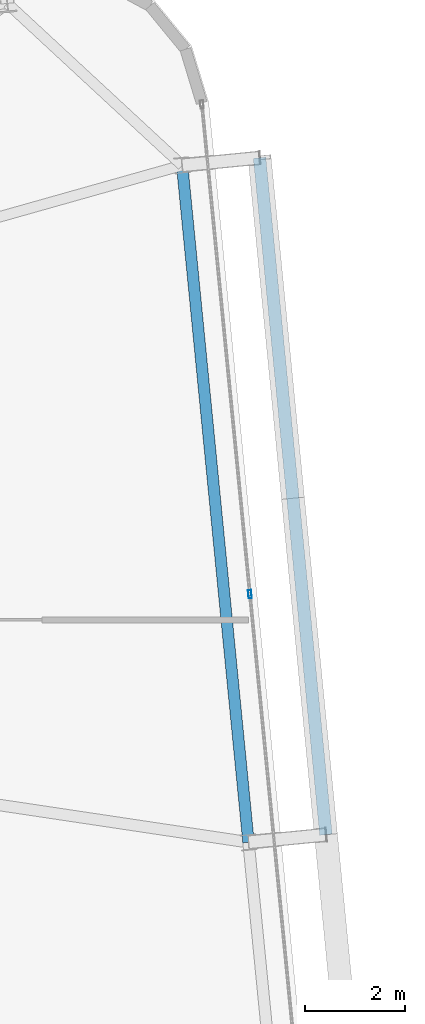
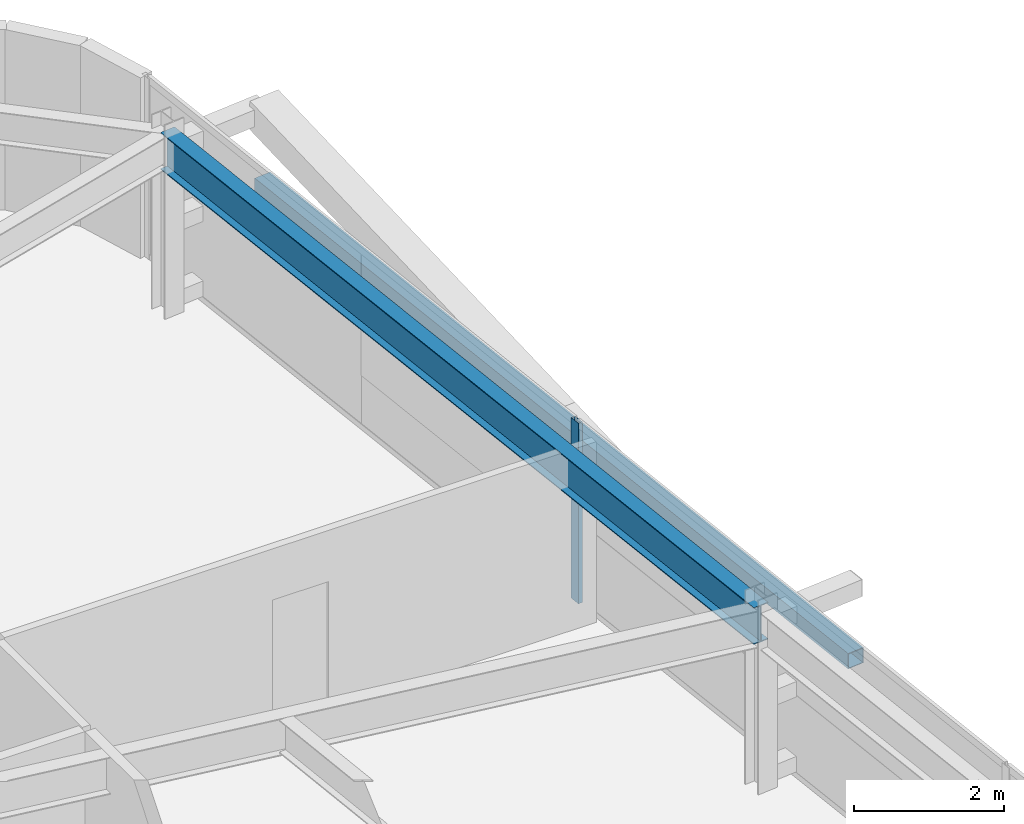
# One storey, part 23 of 47: 2 members, 1 beam, 1 element without a shape of its own.
"""IFC4 building model written with IfcOpenShell, lengths in metres."""

from ifc_helpers import new_model, si_unit, direction, frame, origin, origin_2d, place, context, subcontext, project, spatial, hollow_rectangle, i_section, extrude, source, transform, mapped, material, layer, layer_set, material_profile, profile_set, type_object, element, aggregate, save


model = new_model("IFC4")

# Units and contexts
model_context = context("Model", 3, precision=1e-05, world=origin(), true_north=direction((0.0, 1.0)))
body_context = subcontext(model_context, "Body", "Model", "MODEL_VIEW")
ifc_project = project(units=[si_unit("LENGTHUNIT", "METRE"), si_unit("AREAUNIT", "SQUARE_METRE"), si_unit("VOLUMEUNIT", "CUBIC_METRE"), si_unit("PLANEANGLEUNIT", "RADIAN"), si_unit("MASSUNIT", "GRAM", prefix="KILO")], contexts=[model_context])

# Site, building, storey
site_placement = place(None, origin())
site = spatial("IfcSite", under=ifc_project, at=site_placement, CompositionType="ELEMENT")
building_placement = place(site_placement, origin())
building = spatial("IfcBuilding", under=site, at=building_placement, Name="Taldren Reach Tower", CompositionType="ELEMENT")
storey_placement = place(building_placement, frame((0.0, 0.0, 90.300048828125)))
storey = spatial("IfcBuildingStorey", under=building, at=storey_placement, Name="L27", CompositionType="ELEMENT", Elevation=90.300048828125)

# Beam
ifc_material_1 = material(Name="Steel Gr 350 (350PLUS)", Category="steel")
ifc_material_profile_1 = material_profile(ifc_material_1, i_section(OverallWidth=0.22802734375, OverallDepth=0.60205078125, WebThickness=0.010498046875, FlangeThickness=0.014892578125, at=origin_2d()), Name="610UB101")
ifc_profile_set_1 = profile_set([ifc_material_profile_1], Name="Steel Gr 350 (350PLUS)")
beam_type = type_object("IfcBeamType", Name="BM-UB610B", PredefinedType="BEAM", material=ifc_profile_set_1)
shared_shape_1 = source(origin(), body_context, "Body", "SweptSolid", [
    extrude(i_section(OverallWidth=0.22802734375, OverallDepth=0.60205078125, WebThickness=0.010498046875, FlangeThickness=0.014892578125, at=origin_2d()), origin(), (0.0, 0.0, 1.0), 13.550048828125),
])
beam_placement = place(storey_placement, frame((64.569580078125, 21.968994140625, 2.62890625), z_axis=(-0.097584021339, 0.995227290009, 0.0), x_axis=(-0.995227290009, -0.097584021339, 0.0)))
element("IfcBeam", 1, at=beam_placement, inside=storey, type_object=beam_type, Name="Perimeter gable girder B2 E2-E3 L27", PredefinedType="BEAM", context=body_context, shape_type="MappedRepresentation", body=[
    mapped(shared_shape_1, transform((0.0, 0.0, 0.0), scale=1.0)),
])

# Member
ifc_material_2 = material(Name="Steel Gr 350 (C350L0)", Category="steel")
ifc_material_profile_2 = material_profile(ifc_material_2, hollow_rectangle(XDim=0.25, YDim=0.25, WallThickness=0.010009765625, at=origin_2d()), Name="250x250x10.0SHS")
ifc_profile_set_2 = profile_set([ifc_material_profile_2], Name="Steel Gr 350 (C350L0)")
member_type_1 = type_object("IfcMemberType", Name="MB-POST250", PredefinedType="POST", material=ifc_profile_set_2)
shared_shape_2 = source(origin(), body_context, "Body", "SweptSolid", [
    extrude(hollow_rectangle(XDim=0.25, YDim=0.25, WallThickness=0.010009765625, at=origin_2d()), origin(), (0.0, 0.0, 1.0), 13.550048828125),
])
member_1_placement = place(storey_placement, frame((66.112060546875, 22.1201171875, 1.43505859375), z_axis=(-0.097584021339, 0.995227290009, 0.0), x_axis=(-0.995227290009, -0.097584021339, 0.0)))
element("IfcMember", 2, at=member_1_placement, inside=storey, type_object=member_type_1, Name="Exoskeleton mid-height ring chord B2-E2 L27", PredefinedType="POST", context=body_context, shape_type="MappedRepresentation", body=[
    mapped(shared_shape_2, transform((0.0, 0.0, 0.0), scale=1.0)),
])

# Curtain wall, member
ifc_material_3 = material(Name="Aluminium and Low-E Glass Unitised System", Category="aluminium")
ifc_layer = layer(ifc_material_3, 0.159912109375)
ifc_layer_set = layer_set([ifc_layer], Name="Aluminium and Low-E Glass Unitised System")
curtain_wall_type = type_object("IfcCurtainWallType", Name="CW-SYS-3", PredefinedType="NOTDEFINED", material=ifc_layer_set)
curtain_wall_placement = place(storey_placement, origin())
curtain_wall = element("IfcCurtainWall", 3, at=curtain_wall_placement, inside=storey, type_object=curtain_wall_type, Name="Unitised curtain wall CW-L27-E", PredefinedType="NOTDEFINED")
ifc_material_4 = material(Name="Anodised Aluminium 6063-T6", Category="aluminium")
ifc_material_profile_3 = material_profile(ifc_material_4, hollow_rectangle(XDim=0.06494140625, YDim=0.1650390625, WallThickness=0.00390625, at=origin_2d()), Name="ALU-165x65x4RHS")
ifc_profile_set_3 = profile_set([ifc_material_profile_3], Name="Anodised Aluminium 6063-T6")
member_type_2 = type_object("IfcMemberType", Name="CW-MUL-165", PredefinedType="MULLION", material=ifc_profile_set_3)
shared_shape_3 = source(origin(), body_context, "Body", "SweptSolid", [
    extrude(hollow_rectangle(XDim=0.06494140625, YDim=0.1650390625, WallThickness=0.00390625, at=origin_2d()), origin(), (0.0, 0.0, 1.0), 2.929931640625),
])
member_2_placement = place(storey_placement, frame((64.59716796875, 26.911865234375, 0.0), z_axis=(0.0, 0.0, 1.0), x_axis=(-0.99522741555, -0.09758274098, 0.0)))
member_2 = element("IfcMember", 4, at=member_2_placement, type_object=member_type_2, Name="CW-3 mullion 3", PredefinedType="MULLION", context=body_context, shape_type="MappedRepresentation", body=[
    mapped(shared_shape_3, transform((0.0, 0.0, 0.0), scale=1.0)),
])
aggregate(curtain_wall, [member_2])

save(model, "model.ifc")
